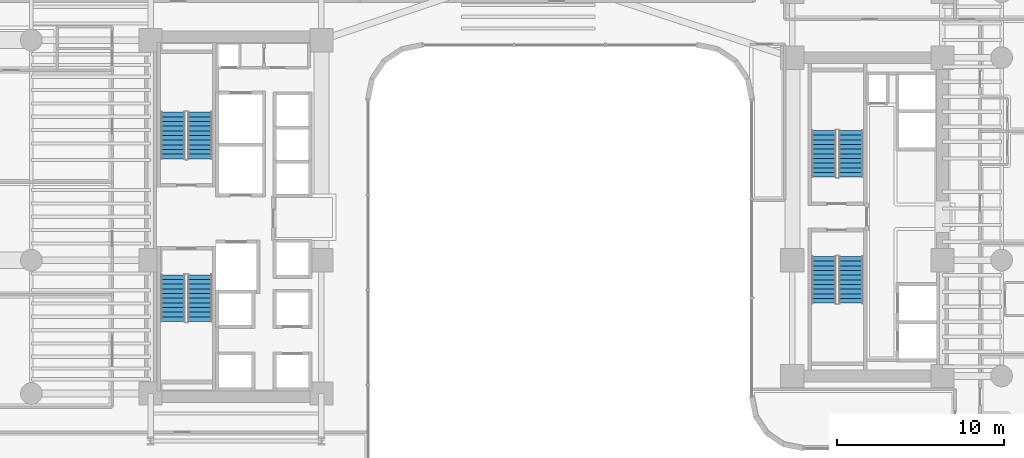
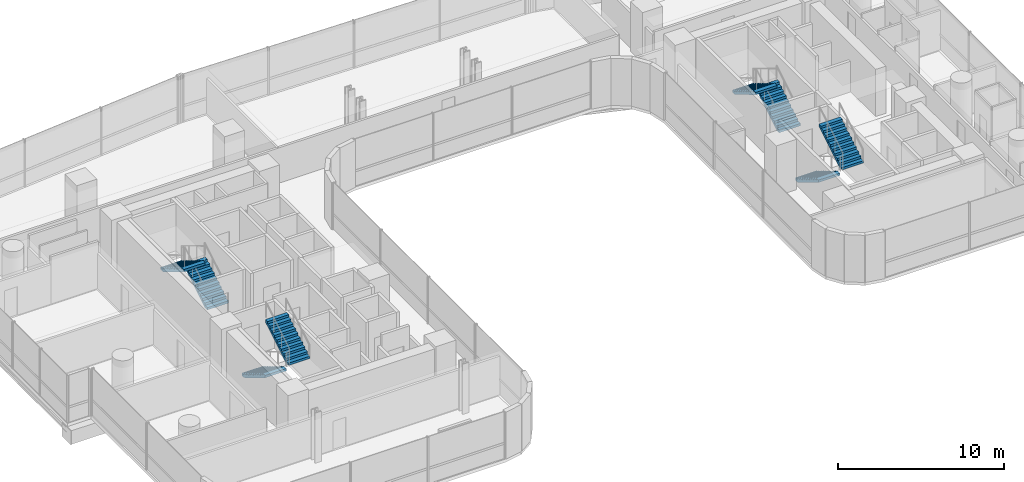
# One storey, part 34 of 39: 8 stair flights, 4 elements without a shape of their own.
"""IFC4 building model written with IfcOpenShell, lengths in metres."""

from ifc_helpers import new_model, si_unit, direction, frame, origin, place, context, subcontext, project, spatial, polyline, outline, extrude, material, type_object, element, aggregate, save


model = new_model("IFC4")

# Units and contexts
model_context = context("Model", 3, precision=1e-05, world=origin(), true_north=direction((0.0, 1.0)))
body_context = subcontext(model_context, "Body", "Model", "MODEL_VIEW")
ifc_project = project(units=[si_unit("LENGTHUNIT", "METRE"), si_unit("AREAUNIT", "SQUARE_METRE"), si_unit("VOLUMEUNIT", "CUBIC_METRE"), si_unit("PLANEANGLEUNIT", "RADIAN"), si_unit("MASSUNIT", "GRAM", prefix="KILO")], contexts=[model_context])

# Site, building, storey
site_placement = place(None, origin())
site = spatial("IfcSite", under=ifc_project, at=site_placement, CompositionType="ELEMENT")
building_placement = place(site_placement, origin())
building = spatial("IfcBuilding", under=site, at=building_placement, Name="Valdorenza Pilgrim Sanctuary Tower", CompositionType="ELEMENT")
storey_placement = place(building_placement, frame((0.0, 0.0, 74.10009765625)))
storey = spatial("IfcBuildingStorey", under=building, at=storey_placement, Name="L18", CompositionType="ELEMENT", Elevation=74.10009765625)

# Stair, stair flights
ifc_material = material(Name="Concrete C40/50", Category="concrete")
stair_type = type_object("IfcStairType", Name="STR-DOG-CORE", PredefinedType="HALF_TURN_STAIR", material=ifc_material)
stair_1_placement = place(storey_placement, origin())
stair_1 = element("IfcStair", 1, at=stair_1_placement, inside=storey, type_object=stair_type, Name="L18 ST-A1", PredefinedType="HALF_TURN_STAIR")
stair_flight_type = type_object("IfcStairFlightType", Name="STF-RC-1400", PredefinedType="STRAIGHT", material=ifc_material)
stair_flight_1_placement = place(storey_placement, frame((-19.679931640625, 3.47998046875, 0.0), z_axis=(0.0, 0.0, 1.0), x_axis=(0.0, 1.0, 0.0)))
stair_flight_1 = element("IfcStairFlight", 2, at=stair_flight_1_placement, type_object=stair_flight_type, Name="ST-A1 flight 1", NumberOfRisers=11, NumberOfTreads=10, PredefinedType="STRAIGHT", RiserHeight=0.168181818, TreadLength=0.28, context=body_context, shape_type="SweptSolid", body=[
    extrude(outline(polyline([(0.0, 0.0), (0.0, 0.168212890625), (0.280029296875, 0.168212890625), (0.280029296875, 0.33642578125), (0.56005859375, 0.33642578125), (0.56005859375, 0.504638671875), (0.840087890625, 0.504638671875), (0.840087890625, 0.672607421875), (1.1201171875, 0.672607421875), (1.1201171875, 0.8408203125), (1.39990234375, 0.8408203125), (1.39990234375, 1.009033203125), (1.679931640625, 1.009033203125), (1.679931640625, 1.17724609375), (1.9599609375, 1.17724609375), (1.9599609375, 1.345458984375), (2.239990234375, 1.345458984375), (2.239990234375, 1.513671875), (2.52001953125, 1.513671875), (2.52001953125, 1.681884765625), (2.800048828125, 1.681884765625), (2.800048828125, 1.85009765625), (2.800048828125, 1.5068359375), (0.291015625, 0.0), (0.0, 0.0)])), frame((0.0, 0.739990234375, 0.0), z_axis=(0.0, -1.0, 0.0), x_axis=(1.0, 0.0, 0.0)), (0.0, 0.0, 1.0), 1.47998046875),
])
stair_flight_2_placement = place(storey_placement, frame((-21.31005859375, 6.280029296875, 1.849853515625), z_axis=(0.0, 0.0, 1.0), x_axis=(0.0, -1.0, 0.0)))
stair_flight_2 = element("IfcStairFlight", 3, at=stair_flight_2_placement, type_object=stair_flight_type, Name="ST-A1 flight 2", NumberOfRisers=11, NumberOfTreads=10, PredefinedType="STRAIGHT", RiserHeight=0.168181818, TreadLength=0.28, context=body_context, shape_type="SweptSolid", body=[
    extrude(outline(polyline([(0.0, 0.0), (0.0, 0.168212890625), (0.280029296875, 0.168212890625), (0.280029296875, 0.33642578125), (0.56005859375, 0.33642578125), (0.56005859375, 0.504638671875), (0.840087890625, 0.504638671875), (0.840087890625, 0.672607421875), (1.1201171875, 0.672607421875), (1.1201171875, 0.8408203125), (1.39990234375, 0.8408203125), (1.39990234375, 1.009033203125), (1.679931640625, 1.009033203125), (1.679931640625, 1.17724609375), (1.9599609375, 1.17724609375), (1.9599609375, 1.345458984375), (2.239990234375, 1.345458984375), (2.239990234375, 1.513671875), (2.52001953125, 1.513671875), (2.52001953125, 1.681884765625), (2.800048828125, 1.681884765625), (2.800048828125, 1.85009765625), (2.800048828125, 1.5068359375), (0.291015625, 0.0), (0.0, 0.0)])), frame((0.0, 0.739990234375, 0.0), z_axis=(0.0, -1.0, 0.0), x_axis=(1.0, 0.0, 0.0)), (0.0, 0.0, 1.0), 1.47998046875),
])
aggregate(stair_1, [stair_flight_1, stair_flight_2])

stair_2_placement = place(storey_placement, origin())
stair_2 = element("IfcStair", 4, at=stair_2_placement, inside=storey, type_object=stair_type, Name="L18 ST-A2", PredefinedType="HALF_TURN_STAIR")
stair_flight_3_placement = place(storey_placement, frame((-21.31005859375, -3.47998046875, 0.0), z_axis=(0.0, 0.0, 1.0), x_axis=(0.0, -1.0, 0.0)))
stair_flight_3 = element("IfcStairFlight", 5, at=stair_flight_3_placement, type_object=stair_flight_type, Name="ST-A2 flight 1", NumberOfRisers=11, NumberOfTreads=10, PredefinedType="STRAIGHT", RiserHeight=0.168181818, TreadLength=0.28, context=body_context, shape_type="SweptSolid", body=[
    extrude(outline(polyline([(0.0, 0.0), (0.0, 0.168212890625), (0.280029296875, 0.168212890625), (0.280029296875, 0.33642578125), (0.56005859375, 0.33642578125), (0.56005859375, 0.504638671875), (0.840087890625, 0.504638671875), (0.840087890625, 0.672607421875), (1.1201171875, 0.672607421875), (1.1201171875, 0.8408203125), (1.39990234375, 0.8408203125), (1.39990234375, 1.009033203125), (1.679931640625, 1.009033203125), (1.679931640625, 1.17724609375), (1.9599609375, 1.17724609375), (1.9599609375, 1.345458984375), (2.239990234375, 1.345458984375), (2.239990234375, 1.513671875), (2.52001953125, 1.513671875), (2.52001953125, 1.681884765625), (2.800048828125, 1.681884765625), (2.800048828125, 1.85009765625), (2.800048828125, 1.5068359375), (0.291015625, 0.0), (0.0, 0.0)])), frame((0.0, 0.739990234375, 0.0), z_axis=(0.0, -1.0, 0.0), x_axis=(1.0, 0.0, 0.0)), (0.0, 0.0, 1.0), 1.47998046875),
])
stair_flight_4_placement = place(storey_placement, frame((-19.679931640625, -6.280029296875, 1.849853515625), z_axis=(0.0, 0.0, 1.0), x_axis=(0.0, 1.0, 0.0)))
stair_flight_4 = element("IfcStairFlight", 6, at=stair_flight_4_placement, type_object=stair_flight_type, Name="ST-A2 flight 2", NumberOfRisers=11, NumberOfTreads=10, PredefinedType="STRAIGHT", RiserHeight=0.168181818, TreadLength=0.28, context=body_context, shape_type="SweptSolid", body=[
    extrude(outline(polyline([(0.0, 0.0), (0.0, 0.168212890625), (0.280029296875, 0.168212890625), (0.280029296875, 0.33642578125), (0.56005859375, 0.33642578125), (0.56005859375, 0.504638671875), (0.840087890625, 0.504638671875), (0.840087890625, 0.672607421875), (1.1201171875, 0.672607421875), (1.1201171875, 0.8408203125), (1.39990234375, 0.8408203125), (1.39990234375, 1.009033203125), (1.679931640625, 1.009033203125), (1.679931640625, 1.17724609375), (1.9599609375, 1.17724609375), (1.9599609375, 1.345458984375), (2.239990234375, 1.345458984375), (2.239990234375, 1.513671875), (2.52001953125, 1.513671875), (2.52001953125, 1.681884765625), (2.800048828125, 1.681884765625), (2.800048828125, 1.85009765625), (2.800048828125, 1.5068359375), (0.291015625, 0.0), (0.0, 0.0)])), frame((0.0, 0.739990234375, 0.0), z_axis=(0.0, -1.0, 0.0), x_axis=(1.0, 0.0, 0.0)), (0.0, 0.0, 1.0), 1.47998046875),
])
aggregate(stair_2, [stair_flight_3, stair_flight_4])

stair_3_placement = place(storey_placement, origin())
stair_3 = element("IfcStair", 7, at=stair_3_placement, inside=storey, type_object=stair_type, Name="L18 ST-B1", PredefinedType="HALF_TURN_STAIR")
stair_flight_5_placement = place(storey_placement, frame((19.3701171875, 2.3798828125, 0.0), z_axis=(0.0, 0.0, 1.0), x_axis=(0.0, 1.0, 0.0)))
stair_flight_5 = element("IfcStairFlight", 8, at=stair_flight_5_placement, type_object=stair_flight_type, Name="ST-B1 flight 1", NumberOfRisers=11, NumberOfTreads=10, PredefinedType="STRAIGHT", RiserHeight=0.168181818, TreadLength=0.28, context=body_context, shape_type="SweptSolid", body=[
    extrude(outline(polyline([(0.0, 0.0), (0.0, 0.168212890625), (0.280029296875, 0.168212890625), (0.280029296875, 0.33642578125), (0.56005859375, 0.33642578125), (0.56005859375, 0.504638671875), (0.840087890625, 0.504638671875), (0.840087890625, 0.672607421875), (1.1201171875, 0.672607421875), (1.1201171875, 0.8408203125), (1.39990234375, 0.8408203125), (1.39990234375, 1.009033203125), (1.679931640625, 1.009033203125), (1.679931640625, 1.17724609375), (1.9599609375, 1.17724609375), (1.9599609375, 1.345458984375), (2.239990234375, 1.345458984375), (2.239990234375, 1.513671875), (2.52001953125, 1.513671875), (2.52001953125, 1.681884765625), (2.800048828125, 1.681884765625), (2.800048828125, 1.85009765625), (2.800048828125, 1.5068359375), (0.291015625, 0.0), (0.0, 0.0)])), frame((0.0, 0.739990234375, 0.0), z_axis=(0.0, -1.0, 0.0), x_axis=(1.0, 0.0, 0.0)), (0.0, 0.0, 1.0), 1.47998046875),
])
stair_flight_6_placement = place(storey_placement, frame((17.739990234375, 5.179931640625, 1.849853515625), z_axis=(0.0, 0.0, 1.0), x_axis=(0.0, -1.0, 0.0)))
stair_flight_6 = element("IfcStairFlight", 9, at=stair_flight_6_placement, type_object=stair_flight_type, Name="ST-B1 flight 2", NumberOfRisers=11, NumberOfTreads=10, PredefinedType="STRAIGHT", RiserHeight=0.168181818, TreadLength=0.28, context=body_context, shape_type="SweptSolid", body=[
    extrude(outline(polyline([(0.0, 0.0), (0.0, 0.168212890625), (0.280029296875, 0.168212890625), (0.280029296875, 0.33642578125), (0.56005859375, 0.33642578125), (0.56005859375, 0.504638671875), (0.840087890625, 0.504638671875), (0.840087890625, 0.672607421875), (1.1201171875, 0.672607421875), (1.1201171875, 0.8408203125), (1.39990234375, 0.8408203125), (1.39990234375, 1.009033203125), (1.679931640625, 1.009033203125), (1.679931640625, 1.17724609375), (1.9599609375, 1.17724609375), (1.9599609375, 1.345458984375), (2.239990234375, 1.345458984375), (2.239990234375, 1.513671875), (2.52001953125, 1.513671875), (2.52001953125, 1.681884765625), (2.800048828125, 1.681884765625), (2.800048828125, 1.85009765625), (2.800048828125, 1.5068359375), (0.291015625, 0.0), (0.0, 0.0)])), frame((0.0, 0.739990234375, 0.0), z_axis=(0.0, -1.0, 0.0), x_axis=(1.0, 0.0, 0.0)), (0.0, 0.0, 1.0), 1.47998046875),
])
aggregate(stair_3, [stair_flight_5, stair_flight_6])

stair_4_placement = place(storey_placement, origin())
stair_4 = element("IfcStair", 10, at=stair_4_placement, inside=storey, type_object=stair_type, Name="L18 ST-B2", PredefinedType="HALF_TURN_STAIR")
stair_flight_7_placement = place(storey_placement, frame((17.739990234375, -2.3798828125, 0.0), z_axis=(0.0, 0.0, 1.0), x_axis=(0.0, -1.0, 0.0)))
stair_flight_7 = element("IfcStairFlight", 11, at=stair_flight_7_placement, type_object=stair_flight_type, Name="ST-B2 flight 1", NumberOfRisers=11, NumberOfTreads=10, PredefinedType="STRAIGHT", RiserHeight=0.168181818, TreadLength=0.28, context=body_context, shape_type="SweptSolid", body=[
    extrude(outline(polyline([(0.0, 0.0), (0.0, 0.168212890625), (0.280029296875, 0.168212890625), (0.280029296875, 0.33642578125), (0.56005859375, 0.33642578125), (0.56005859375, 0.504638671875), (0.840087890625, 0.504638671875), (0.840087890625, 0.672607421875), (1.1201171875, 0.672607421875), (1.1201171875, 0.8408203125), (1.39990234375, 0.8408203125), (1.39990234375, 1.009033203125), (1.679931640625, 1.009033203125), (1.679931640625, 1.17724609375), (1.9599609375, 1.17724609375), (1.9599609375, 1.345458984375), (2.239990234375, 1.345458984375), (2.239990234375, 1.513671875), (2.52001953125, 1.513671875), (2.52001953125, 1.681884765625), (2.800048828125, 1.681884765625), (2.800048828125, 1.85009765625), (2.800048828125, 1.5068359375), (0.291015625, 0.0), (0.0, 0.0)])), frame((0.0, 0.739990234375, 0.0), z_axis=(0.0, -1.0, 0.0), x_axis=(1.0, 0.0, 0.0)), (0.0, 0.0, 1.0), 1.47998046875),
])
stair_flight_8_placement = place(storey_placement, frame((19.3701171875, -5.179931640625, 1.849853515625), z_axis=(0.0, 0.0, 1.0), x_axis=(0.0, 1.0, 0.0)))
stair_flight_8 = element("IfcStairFlight", 12, at=stair_flight_8_placement, type_object=stair_flight_type, Name="ST-B2 flight 2", NumberOfRisers=11, NumberOfTreads=10, PredefinedType="STRAIGHT", RiserHeight=0.168181818, TreadLength=0.28, context=body_context, shape_type="SweptSolid", body=[
    extrude(outline(polyline([(0.0, 0.0), (0.0, 0.168212890625), (0.280029296875, 0.168212890625), (0.280029296875, 0.33642578125), (0.56005859375, 0.33642578125), (0.56005859375, 0.504638671875), (0.840087890625, 0.504638671875), (0.840087890625, 0.672607421875), (1.1201171875, 0.672607421875), (1.1201171875, 0.8408203125), (1.39990234375, 0.8408203125), (1.39990234375, 1.009033203125), (1.679931640625, 1.009033203125), (1.679931640625, 1.17724609375), (1.9599609375, 1.17724609375), (1.9599609375, 1.345458984375), (2.239990234375, 1.345458984375), (2.239990234375, 1.513671875), (2.52001953125, 1.513671875), (2.52001953125, 1.681884765625), (2.800048828125, 1.681884765625), (2.800048828125, 1.85009765625), (2.800048828125, 1.5068359375), (0.291015625, 0.0), (0.0, 0.0)])), frame((0.0, 0.739990234375, 0.0), z_axis=(0.0, -1.0, 0.0), x_axis=(1.0, 0.0, 0.0)), (0.0, 0.0, 1.0), 1.47998046875),
])
aggregate(stair_4, [stair_flight_7, stair_flight_8])

save(model, "model.ifc")
